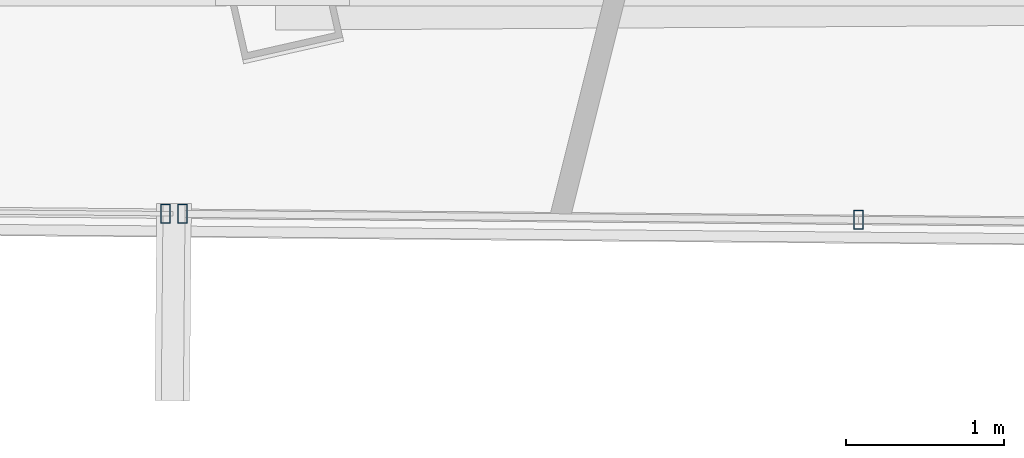
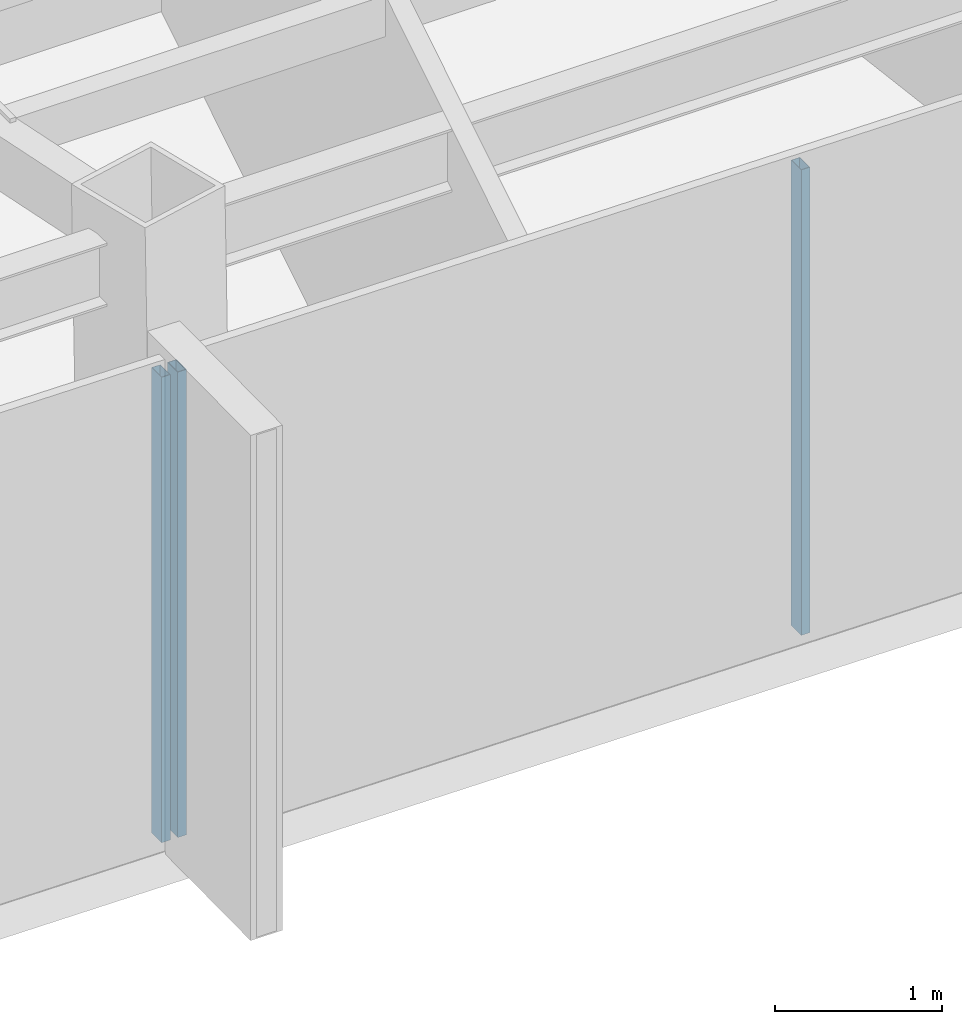
# One storey, part 11 of 45: 3 members, 2 elements without a shape of their own.
"""IFC4 building model written with IfcOpenShell, lengths in metres."""

from ifc_helpers import new_model, si_unit, direction, frame, origin, origin_2d, place, context, subcontext, project, spatial, hollow_rectangle, extrude, source, transform, mapped, material, material_profile, profile_set, type_object, type_shapes, element, aggregate, save


model = new_model("IFC4")

# Units and contexts
model_context = context("Model", 3, precision=1e-05, world=origin(), true_north=direction((0.0, 1.0)))
body_context = subcontext(model_context, "Body", "Model", "MODEL_VIEW")
ifc_project = project(units=[si_unit("LENGTHUNIT", "METRE"), si_unit("AREAUNIT", "SQUARE_METRE"), si_unit("VOLUMEUNIT", "CUBIC_METRE"), si_unit("PLANEANGLEUNIT", "RADIAN"), si_unit("MASSUNIT", "GRAM", prefix="KILO")], contexts=[model_context])

# Site, building, storey
site_placement = place(None, origin())
site = spatial("IfcSite", under=ifc_project, at=site_placement, CompositionType="ELEMENT")
building_placement = place(site_placement, origin())
building = spatial("IfcBuilding", under=site, at=building_placement, Name="Caelisora Broadcast Tower", CompositionType="ELEMENT")
storey_placement = place(building_placement, frame((0.0, 0.0, 240.800048828125)))
storey = spatial("IfcBuildingStorey", under=building, at=storey_placement, Name="L63", CompositionType="ELEMENT", Elevation=240.800048828125)

# Curtain wall, members
ifc_material_1 = material(Name="Unitised Aluminium Insulated Shadow-Box Spandrel Curtain Wall", Category="aluminium")
curtain_wall_type_1 = type_object("IfcCurtainWallType", Name="CW-SP3", PredefinedType="NOTDEFINED", material=ifc_material_1)
curtain_wall_1_placement = place(storey_placement, origin())
curtain_wall_1 = element("IfcCurtainWall", 1, at=curtain_wall_1_placement, inside=storey, type_object=curtain_wall_type_1, Name="L63 curtain wall CW-SP3", PredefinedType="NOTDEFINED")
ifc_material_2 = material(Name="Aluminium 6063-T6 Anodised Terracotta Bronze", Category="aluminium")
ifc_material_profile = material_profile(ifc_material_2, hollow_rectangle(XDim=0.06005859375, YDim=0.1201171875, WallThickness=0.0029296875, at=origin_2d()), Name="Aluminium 6063-T6 Anodised Terracotta Bronze")
ifc_profile_set = profile_set([ifc_material_profile], Name="Aluminium 6063-T6 Anodised Terracotta Bronze")
member_type = type_object("IfcMemberType", Name="CWM-04", PredefinedType="MULLION", material=ifc_profile_set)
shared_shape = source(origin(), body_context, "Body", "SweptSolid", [
    extrude(hollow_rectangle(XDim=0.06005859375, YDim=0.1201171875, WallThickness=0.0029296875, at=origin_2d()), origin(), (0.0, 0.0, 1.0), 3.39990234375),
])
type_shapes(member_type, [shared_shape])
member_1_placement = place(storey_placement, frame((35.8193359375, 7.64453125, 0.0), z_axis=(0.0, 0.0, 1.0), x_axis=(1.0, 0.0, 0.0)))
member_1 = element("IfcMember", 2, at=member_1_placement, type_object=member_type, Name="L63-CW-B06 mullion #2", PredefinedType="MULLION", context=body_context, shape_type="MappedRepresentation", body=[
    mapped(shared_shape, transform((0.0, 0.0, 0.0), scale=1.0)),
])
member_2_placement = place(storey_placement, frame((31.533447265625, 7.68310546875, 0.0), z_axis=(0.0, 0.0, 1.0), x_axis=(1.0, 0.0, 0.0)))
member_2 = element("IfcMember", 3, at=member_2_placement, type_object=member_type, Name="L63-CW-B06 mullion #3", PredefinedType="MULLION", context=body_context, shape_type="MappedRepresentation", body=[
    mapped(shared_shape, transform((0.0, 0.0, 0.0), scale=1.0)),
])
aggregate(curtain_wall_1, [member_1, member_2])

# Curtain wall, member
ifc_material_3 = material(Name="Unitised Aluminium and Low-E Glass Curtain Wall", Category="glass")
curtain_wall_type_2 = type_object("IfcCurtainWallType", Name="CW-Z5", PredefinedType="NOTDEFINED", material=ifc_material_3)
curtain_wall_2_placement = place(storey_placement, origin())
curtain_wall_2 = element("IfcCurtainWall", 4, at=curtain_wall_2_placement, inside=storey, type_object=curtain_wall_type_2, Name="L63 curtain wall CW-Z5", PredefinedType="NOTDEFINED")
member_3_placement = place(storey_placement, frame((31.42333984375, 7.68408203125, 0.0), z_axis=(0.0, 0.0, 1.0), x_axis=(1.0, 0.0, 0.0)))
member_3 = element("IfcMember", 5, at=member_3_placement, type_object=member_type, Name="L63-CW-B07 mullion #0", PredefinedType="MULLION", context=body_context, shape_type="MappedRepresentation", body=[
    mapped(shared_shape, transform((0.0, 0.0, 0.0), scale=1.0)),
])
aggregate(curtain_wall_2, [member_3])

save(model, "model.ifc")
